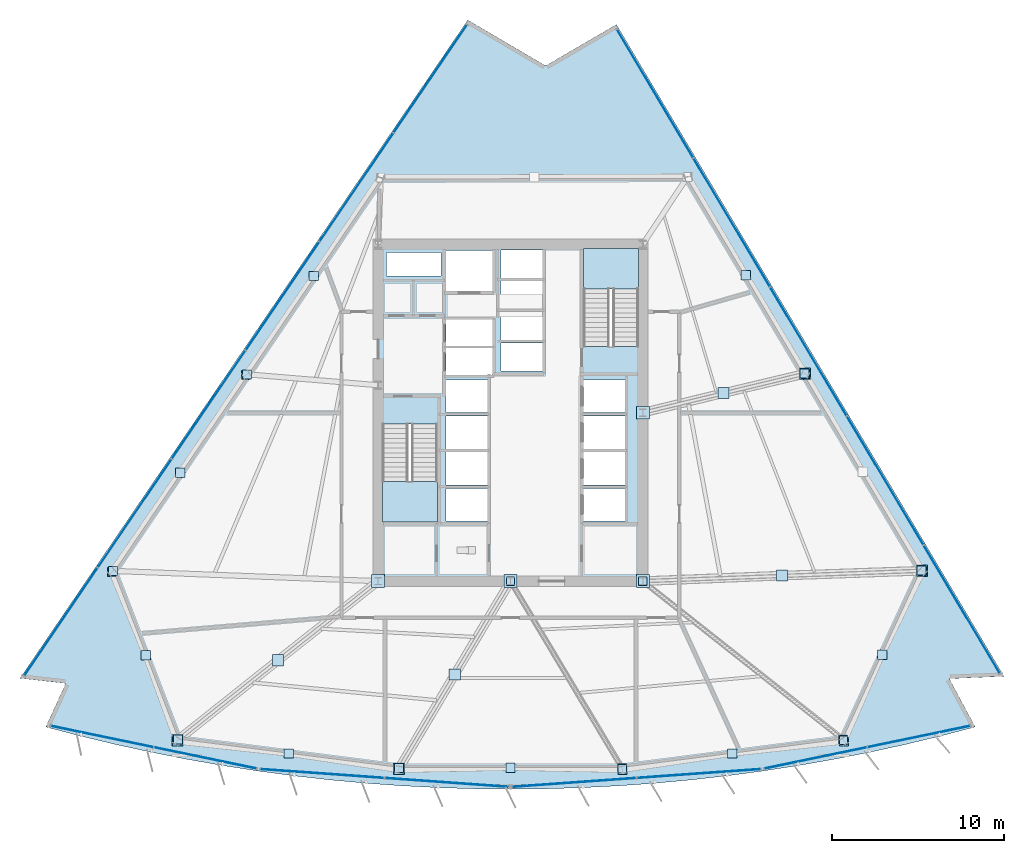
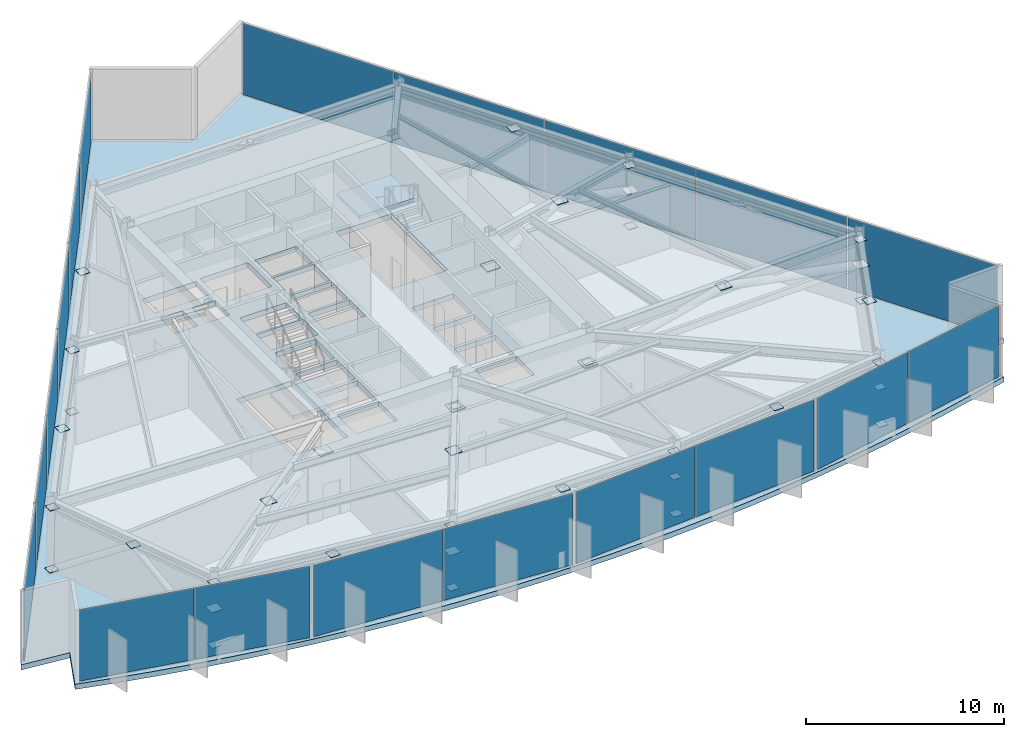
# One storey, part 8 of 16: 59 plates, 3 slabs, 8 elements without a shape of their own.
"""IFC4 building model written with IfcOpenShell, lengths in metres."""

from ifc_helpers import new_model, si_unit, direction, frame, origin, origin_2d, place, context, subcontext, project, spatial, polyline, rectangle, outline, extrude, material, layer, layer_set, type_object, element, aggregate, save


model = new_model("IFC4")

# Units and contexts
model_context = context("Model", 3, precision=1e-05, world=origin(), true_north=direction((0.0, 1.0)))
body_context = subcontext(model_context, "Body", "Model", "MODEL_VIEW")
ifc_project = project(units=[si_unit("LENGTHUNIT", "METRE"), si_unit("AREAUNIT", "SQUARE_METRE"), si_unit("VOLUMEUNIT", "CUBIC_METRE"), si_unit("PLANEANGLEUNIT", "RADIAN"), si_unit("MASSUNIT", "GRAM", prefix="KILO")], contexts=[model_context])

# Site, building, storey
site_placement = place(None, origin())
site = spatial("IfcSite", under=ifc_project, at=site_placement, CompositionType="ELEMENT")
building_placement = place(site_placement, origin())
building = spatial("IfcBuilding", under=site, at=building_placement, Name="Savorim Split Tower", CompositionType="ELEMENT")
storey_placement = place(building_placement, frame((0.0, 0.0, 73.199951171875)))
storey = spatial("IfcBuildingStorey", under=building, at=storey_placement, Name="L19", CompositionType="ELEMENT", Elevation=73.199951171875)

# Curtain wall, plates
ifc_material_1 = material(Name="Dark Ceramic-Fritted Insulated Glass", Category="glass")
curtain_wall_type = type_object("IfcCurtainWallType", Name="CW-REFUGE-LVR", PredefinedType="NOTDEFINED", material=ifc_material_1)
curtain_wall_1_placement = place(storey_placement, origin())
curtain_wall_1 = element("IfcCurtainWall", 1, at=curtain_wall_1_placement, inside=storey, type_object=curtain_wall_type, Name="L19 Curtain Wall CW-L19-SF1", PredefinedType="NOTDEFINED")
ifc_material_2 = material(Name="Charcoal Anodised Aluminium", Category="aluminium")
ifc_layer_1 = layer(ifc_material_2, 0.035888671875)
ifc_layer_set_1 = layer_set([ifc_layer_1], Name="CWP-LVR-36")
plate_type_1 = type_object("IfcPlateType", Name="CWP-LVR-36", PredefinedType="CURTAIN_PANEL", material=ifc_layer_set_1)
plate_1_placement = place(storey_placement, frame((-23.7607421875, -18.440673828125, 0.05517578125), z_axis=(0.0, 0.0, 1.0), x_axis=(0.979135145772, -0.203210153081, 0.0)))
plate_1 = element("IfcPlate", 2, at=plate_1_placement, type_object=plate_type_1, Name="CW-06 panel 1.1", PredefinedType="CURTAIN_PANEL", context=body_context, shape_type="SweptSolid", body=[
    extrude(rectangle(XDim=6.072021484375, YDim=0.035888671875, at=origin_2d()), origin(), (0.0, 0.0, 1.0), 4.389892578125),
])
plate_2_placement = place(storey_placement, frame((-17.751708984375, -19.687744140625, 0.05517578125), z_axis=(0.0, 0.0, 1.0), x_axis=(0.979135145772, -0.203210153081, 0.0)))
plate_2 = element("IfcPlate", 3, at=plate_2_placement, type_object=plate_type_1, Name="CW-06 panel 2.1", PredefinedType="CURTAIN_PANEL", context=body_context, shape_type="SweptSolid", body=[
    extrude(rectangle(XDim=6.072021484375, YDim=0.035888671875, at=origin_2d()), origin(), (0.0, 0.0, 1.0), 4.389892578125),
])
aggregate(curtain_wall_1, [plate_1, plate_2])

curtain_wall_2_placement = place(storey_placement, origin())
curtain_wall_2 = element("IfcCurtainWall", 4, at=curtain_wall_2_placement, inside=storey, type_object=curtain_wall_type, Name="L19 Curtain Wall CW-L19-SF2", PredefinedType="NOTDEFINED")
plate_3_placement = place(storey_placement, frame((-10.9560546875, -20.594482421875, 0.05517578125), z_axis=(0.0, 0.0, 1.0), x_axis=(0.997436258114, -0.071560540796, 0.0)))
plate_3 = element("IfcPlate", 5, at=plate_3_placement, type_object=plate_type_1, Name="CW-06 panel 1.1", PredefinedType="CURTAIN_PANEL", context=body_context, shape_type="SweptSolid", body=[
    extrude(rectangle(XDim=7.201904296875, YDim=0.035888671875, at=origin_2d()), origin(), (0.0, 0.0, 1.0), 4.389892578125),
])
plate_4_placement = place(storey_placement, frame((-3.707763671875, -21.114501953125, 0.05517578125), z_axis=(0.0, 0.0, 1.0), x_axis=(0.997436258114, -0.071560540796, 0.0)))
plate_4 = element("IfcPlate", 6, at=plate_4_placement, type_object=plate_type_1, Name="CW-06 panel 2.1", PredefinedType="CURTAIN_PANEL", context=body_context, shape_type="SweptSolid", body=[
    extrude(rectangle(XDim=7.201904296875, YDim=0.035888671875, at=origin_2d()), origin(), (0.0, 0.0, 1.0), 4.389892578125),
])
aggregate(curtain_wall_2, [plate_3, plate_4])

curtain_wall_3_placement = place(storey_placement, origin())
curtain_wall_3 = element("IfcCurtainWall", 7, at=curtain_wall_3_placement, inside=storey, type_object=curtain_wall_type, Name="L19 Curtain Wall CW-L19-SF3", PredefinedType="NOTDEFINED")
plate_5_placement = place(storey_placement, frame((3.707763671875, -21.114501953125, 0.05517578125), z_axis=(0.0, 0.0, 1.0), x_axis=(0.997436258114, 0.071560540796, 0.0)))
plate_5 = element("IfcPlate", 8, at=plate_5_placement, type_object=plate_type_1, Name="CW-06 panel 1.1", PredefinedType="CURTAIN_PANEL", context=body_context, shape_type="SweptSolid", body=[
    extrude(rectangle(XDim=7.201904296875, YDim=0.035888671875, at=origin_2d()), origin(), (0.0, 0.0, 1.0), 4.389892578125),
])
plate_6_placement = place(storey_placement, frame((10.9560546875, -20.594482421875, 0.05517578125), z_axis=(0.0, 0.0, 1.0), x_axis=(0.997436258114, 0.071560540796, 0.0)))
plate_6 = element("IfcPlate", 9, at=plate_6_placement, type_object=plate_type_1, Name="CW-06 panel 2.1", PredefinedType="CURTAIN_PANEL", context=body_context, shape_type="SweptSolid", body=[
    extrude(rectangle(XDim=7.201904296875, YDim=0.035888671875, at=origin_2d()), origin(), (0.0, 0.0, 1.0), 4.389892578125),
])
aggregate(curtain_wall_3, [plate_5, plate_6])

curtain_wall_4_placement = place(storey_placement, origin())
curtain_wall_4 = element("IfcCurtainWall", 10, at=curtain_wall_4_placement, inside=storey, type_object=curtain_wall_type, Name="L19 Curtain Wall CW-L19-SF4", PredefinedType="NOTDEFINED")
plate_7_placement = place(storey_placement, frame((17.751708984375, -19.687744140625, 0.05517578125), z_axis=(0.0, 0.0, 1.0), x_axis=(0.979135145772, 0.203210153081, 0.0)))
plate_7 = element("IfcPlate", 11, at=plate_7_placement, type_object=plate_type_1, Name="CW-06 panel 1.1", PredefinedType="CURTAIN_PANEL", context=body_context, shape_type="SweptSolid", body=[
    extrude(rectangle(XDim=6.072021484375, YDim=0.035888671875, at=origin_2d()), origin(), (0.0, 0.0, 1.0), 4.389892578125),
])
plate_8_placement = place(storey_placement, frame((23.7607421875, -18.440673828125, 0.05517578125), z_axis=(0.0, 0.0, 1.0), x_axis=(0.979135145772, 0.203210153081, 0.0)))
plate_8 = element("IfcPlate", 12, at=plate_8_placement, type_object=plate_type_1, Name="CW-06 panel 2.1", PredefinedType="CURTAIN_PANEL", context=body_context, shape_type="SweptSolid", body=[
    extrude(rectangle(XDim=6.072021484375, YDim=0.035888671875, at=origin_2d()), origin(), (0.0, 0.0, 1.0), 4.389892578125),
])
aggregate(curtain_wall_4, [plate_7, plate_8])

curtain_wall_5_placement = place(storey_placement, origin())
curtain_wall_5 = element("IfcCurtainWall", 13, at=curtain_wall_5_placement, inside=storey, type_object=curtain_wall_type, Name="L19 Curtain Wall CW-L19-EAST", PredefinedType="NOTDEFINED")
plate_9_placement = place(storey_placement, frame((26.256103515625, -11.041259765625, 0.05517578125), z_axis=(0.0, 0.0, 1.0), x_axis=(-0.511093312545, 0.85952523283, 0.0)))
plate_9 = element("IfcPlate", 14, at=plate_9_placement, type_object=plate_type_1, Name="CW-06 panel 1.1", PredefinedType="CURTAIN_PANEL", context=body_context, shape_type="SweptSolid", body=[
    extrude(rectangle(XDim=8.638427734375, YDim=0.035888671875, at=origin_2d()), origin(), (0.0, 0.0, 1.0), 4.389892578125),
])
plate_10_placement = place(storey_placement, frame((21.799560546875, -3.54638671875, 0.05517578125), z_axis=(0.0, 0.0, 1.0), x_axis=(-0.511093312545, 0.85952523283, 0.0)))
plate_10 = element("IfcPlate", 15, at=plate_10_placement, type_object=plate_type_1, Name="CW-06 panel 2.1", PredefinedType="CURTAIN_PANEL", context=body_context, shape_type="SweptSolid", body=[
    extrude(rectangle(XDim=8.6708984375, YDim=0.035888671875, at=origin_2d()), origin(), (0.0, 0.0, 1.0), 4.389892578125),
])
plate_11_placement = place(storey_placement, frame((17.334716796875, 3.96240234375, 0.05517578125), z_axis=(0.0, 0.0, 1.0), x_axis=(-0.511093312545, 0.85952523283, 0.0)))
plate_11 = element("IfcPlate", 16, at=plate_11_placement, type_object=plate_type_1, Name="CW-06 panel 3.1", PredefinedType="CURTAIN_PANEL", context=body_context, shape_type="SweptSolid", body=[
    extrude(rectangle(XDim=8.6708984375, YDim=0.035888671875, at=origin_2d()), origin(), (0.0, 0.0, 1.0), 4.389892578125),
])
plate_12_placement = place(storey_placement, frame((12.86962890625, 11.470947265625, 0.05517578125), z_axis=(0.0, 0.0, 1.0), x_axis=(-0.511093312545, 0.85952523283, 0.0)))
plate_12 = element("IfcPlate", 17, at=plate_12_placement, type_object=plate_type_1, Name="CW-06 panel 4.1", PredefinedType="CURTAIN_PANEL", context=body_context, shape_type="SweptSolid", body=[
    extrude(rectangle(XDim=8.6708984375, YDim=0.035888671875, at=origin_2d()), origin(), (0.0, 0.0, 1.0), 4.389892578125),
])
plate_13_placement = place(storey_placement, frame((8.4130859375, 18.9658203125, 0.05517578125), z_axis=(0.0, 0.0, 1.0), x_axis=(-0.511093312545, 0.85952523283, 0.0)))
plate_13 = element("IfcPlate", 18, at=plate_13_placement, type_object=plate_type_1, Name="CW-06 panel 5.1", PredefinedType="CURTAIN_PANEL", context=body_context, shape_type="SweptSolid", body=[
    extrude(rectangle(XDim=8.638427734375, YDim=0.035888671875, at=origin_2d()), origin(), (0.0, 0.0, 1.0), 4.389892578125),
])
aggregate(curtain_wall_5, [plate_9, plate_10, plate_11, plate_12, plate_13])

curtain_wall_6_placement = place(storey_placement, origin())
curtain_wall_6 = element("IfcCurtainWall", 19, at=curtain_wall_6_placement, inside=storey, type_object=curtain_wall_type, Name="L19 Curtain Wall CW-L19-WEST", PredefinedType="NOTDEFINED")
plate_14_placement = place(storey_placement, frame((-4.66748046875, 19.82421875, 0.05517578125), z_axis=(0.0, 0.0, 1.0), x_axis=(-0.562466747381, -0.826819906685, 0.0)))
plate_14 = element("IfcPlate", 20, at=plate_14_placement, type_object=plate_type_1, Name="CW-06 panel 1.1", PredefinedType="CURTAIN_PANEL", context=body_context, shape_type="SweptSolid", body=[
    extrude(rectangle(XDim=7.549072265625, YDim=0.035888671875, at=origin_2d()), origin(), (0.0, 0.0, 1.0), 4.389892578125),
])
plate_15_placement = place(storey_placement, frame((-8.959228515625, 13.51513671875, 0.05517578125), z_axis=(0.0, 0.0, 1.0), x_axis=(-0.562466747381, -0.826819906685, 0.0)))
plate_15 = element("IfcPlate", 21, at=plate_15_placement, type_object=plate_type_1, Name="CW-06 panel 2.1", PredefinedType="CURTAIN_PANEL", context=body_context, shape_type="SweptSolid", body=[
    extrude(rectangle(XDim=7.58154296875, YDim=0.035888671875, at=origin_2d()), origin(), (0.0, 0.0, 1.0), 4.389892578125),
])
plate_16_placement = place(storey_placement, frame((-13.260009765625, 7.19287109375, 0.05517578125), z_axis=(0.0, 0.0, 1.0), x_axis=(-0.562466747381, -0.826819906685, 0.0)))
plate_16 = element("IfcPlate", 22, at=plate_16_placement, type_object=plate_type_1, Name="CW-06 panel 3.1", PredefinedType="CURTAIN_PANEL", context=body_context, shape_type="SweptSolid", body=[
    extrude(rectangle(XDim=7.58154296875, YDim=0.035888671875, at=origin_2d()), origin(), (0.0, 0.0, 1.0), 4.389892578125),
])
plate_17_placement = place(storey_placement, frame((-17.56103515625, 0.87060546875, 0.05517578125), z_axis=(0.0, 0.0, 1.0), x_axis=(-0.562466747381, -0.826819906685, 0.0)))
plate_17 = element("IfcPlate", 23, at=plate_17_placement, type_object=plate_type_1, Name="CW-06 panel 4.1", PredefinedType="CURTAIN_PANEL", context=body_context, shape_type="SweptSolid", body=[
    extrude(rectangle(XDim=7.58154296875, YDim=0.035888671875, at=origin_2d()), origin(), (0.0, 0.0, 1.0), 4.389892578125),
])
plate_18_placement = place(storey_placement, frame((-21.86181640625, -5.45166015625, 0.05517578125), z_axis=(0.0, 0.0, 1.0), x_axis=(-0.562466747381, -0.826819906685, 0.0)))
plate_18 = element("IfcPlate", 24, at=plate_18_placement, type_object=plate_type_1, Name="CW-06 panel 5.1", PredefinedType="CURTAIN_PANEL", context=body_context, shape_type="SweptSolid", body=[
    extrude(rectangle(XDim=7.58154296875, YDim=0.035888671875, at=origin_2d()), origin(), (0.0, 0.0, 1.0), 4.389892578125),
])
plate_19_placement = place(storey_placement, frame((-26.15380859375, -11.760498046875, 0.05517578125), z_axis=(0.0, 0.0, 1.0), x_axis=(-0.562466747381, -0.826819906685, 0.0)))
plate_19 = element("IfcPlate", 25, at=plate_19_placement, type_object=plate_type_1, Name="CW-06 panel 6.1", PredefinedType="CURTAIN_PANEL", context=body_context, shape_type="SweptSolid", body=[
    extrude(rectangle(XDim=7.549072265625, YDim=0.035888671875, at=origin_2d()), origin(), (0.0, 0.0, 1.0), 4.389892578125),
])
aggregate(curtain_wall_6, [plate_14, plate_15, plate_16, plate_17, plate_18, plate_19])

# Plates
ifc_material_3 = material(Name="Steel S460", Category="steel")
ifc_layer_2 = layer(ifc_material_3, 0.028076171875)
ifc_layer_set_2 = layer_set([ifc_layer_2], Name="PLT-NODE-BN1")
plate_type_2 = type_object("IfcPlateType", Name="PLT-NODE-BN1", PredefinedType="SHEET", material=ifc_layer_set_2)
plate_20_placement = place(storey_placement, frame((-12.9130859375, -19.426025390625, 4.01611328125), z_axis=(0.0, 0.0, 1.0), x_axis=(1.0, 0.0, 0.0)))
element("IfcPlate", 26, at=plate_20_placement, inside=storey, type_object=plate_type_2, Name="L19 Belt Truss Apex Gusset Plate BN1-01", PredefinedType="SHEET", context=body_context, shape_type="SweptSolid", body=[
    extrude(rectangle(XDim=0.550048828125, YDim=0.550048828125, at=origin_2d()), origin(), (0.0, 0.0, 1.0), 0.028076171875),
])
for number, where, z_axis, x_axis, name in (
    (27, (-19.415283203125, -18.717041015625, 0.26611328125), (0.0, 0.0, 1.0), (1.0, 0.0, 0.0), "L19 Belt Truss Base Gusset Plate BNB-01"),
    (28, (-19.355712890625, -18.620361328125, 4.01611328125), (0.0, 0.0, 1.0), (1.0, 0.0, 0.0), "L19 Belt Truss Chord Gusset Plate BCH-01"),
):
    element("IfcPlate", number, at=place(storey_placement, frame(where, z_axis=z_axis, x_axis=x_axis)), inside=storey, type_object=plate_type_2, Name=name, PredefinedType="SHEET", context=body_context, shape_type="SweptSolid", body=[
        extrude(rectangle(XDim=0.52001953125, YDim=0.52001953125, at=origin_2d()), origin(), (0.0, 0.0, 1.0), 0.028076171875),
    ])
plate_21_placement = place(storey_placement, frame((0.0, -20.251708984375, 4.01611328125), z_axis=(0.0, 0.0, 1.0), x_axis=(1.0, 0.0, 0.0)))
element("IfcPlate", 29, at=plate_21_placement, inside=storey, type_object=plate_type_2, Name="L19 Belt Truss Apex Gusset Plate BN1-02", PredefinedType="SHEET", context=body_context, shape_type="SweptSolid", body=[
    extrude(rectangle(XDim=0.550048828125, YDim=0.550048828125, at=origin_2d()), origin(), (0.0, 0.0, 1.0), 0.028076171875),
])
for number, where, z_axis, x_axis, name in (
    (30, (-6.507080078125, -20.374267578125, 0.26611328125), (0.0, 0.0, 1.0), (1.0, 0.0, 0.0), "L19 Belt Truss Base Gusset Plate BNB-02"),
    (31, (-6.487060546875, -20.272705078125, 4.01611328125), (0.0, 0.0, 1.0), (1.0, 0.0, 0.0), "L19 Belt Truss Chord Gusset Plate BCH-02"),
):
    element("IfcPlate", number, at=place(storey_placement, frame(where, z_axis=z_axis, x_axis=x_axis)), inside=storey, type_object=plate_type_2, Name=name, PredefinedType="SHEET", context=body_context, shape_type="SweptSolid", body=[
        extrude(rectangle(XDim=0.52001953125, YDim=0.52001953125, at=origin_2d()), origin(), (0.0, 0.0, 1.0), 0.028076171875),
    ])
plate_22_placement = place(storey_placement, frame((12.9130859375, -19.426025390625, 4.01611328125), z_axis=(0.0, 0.0, 1.0), x_axis=(1.0, 0.0, 0.0)))
element("IfcPlate", 32, at=plate_22_placement, inside=storey, type_object=plate_type_2, Name="L19 Belt Truss Apex Gusset Plate BN1-03", PredefinedType="SHEET", context=body_context, shape_type="SweptSolid", body=[
    extrude(rectangle(XDim=0.550048828125, YDim=0.550048828125, at=origin_2d()), origin(), (0.0, 0.0, 1.0), 0.028076171875),
])
for number, where, z_axis, x_axis, name in (
    (33, (6.507080078125, -20.374267578125, 0.26611328125), (0.0, 0.0, 1.0), (1.0, 0.0, 0.0), "L19 Belt Truss Base Gusset Plate BNB-03"),
    (34, (6.487060546875, -20.272705078125, 4.01611328125), (0.0, 0.0, 1.0), (1.0, 0.0, 0.0), "L19 Belt Truss Chord Gusset Plate BCH-03"),
):
    element("IfcPlate", number, at=place(storey_placement, frame(where, z_axis=z_axis, x_axis=x_axis)), inside=storey, type_object=plate_type_2, Name=name, PredefinedType="SHEET", context=body_context, shape_type="SweptSolid", body=[
        extrude(rectangle(XDim=0.52001953125, YDim=0.52001953125, at=origin_2d()), origin(), (0.0, 0.0, 1.0), 0.028076171875),
    ])
plate_23_placement = place(storey_placement, frame((21.619873046875, -13.677490234375, 4.01611328125), z_axis=(0.0, 0.0, 1.0), x_axis=(1.0, 0.0, 0.0)))
element("IfcPlate", 35, at=plate_23_placement, inside=storey, type_object=plate_type_2, Name="L19 Belt Truss Apex Gusset Plate BN1-04", PredefinedType="SHEET", context=body_context, shape_type="SweptSolid", body=[
    extrude(rectangle(XDim=0.550048828125, YDim=0.550048828125, at=origin_2d()), origin(), (0.0, 0.0, 1.0), 0.028076171875),
])
for number, where, z_axis, x_axis, name in (
    (36, (19.415283203125, -18.717041015625, 0.26611328125), (0.0, 0.0, 1.0), (1.0, 0.0, 0.0), "L19 Belt Truss Base Gusset Plate BNB-04"),
    (37, (19.355712890625, -18.620361328125, 4.01611328125), (0.0, 0.0, 1.0), (1.0, 0.0, 0.0), "L19 Belt Truss Chord Gusset Plate BCH-04"),
    (38, (23.987060546875, -8.82958984375, 0.26611328125), (0.0, 0.0, 1.0), (1.0, 0.0, 0.0), "L19 Belt Truss Base Gusset Plate BNB-05"),
    (39, (23.911865234375, -8.767333984375, 4.01611328125), (0.0, 0.0, 1.0), (1.0, 0.0, 0.0), "L19 Belt Truss Chord Gusset Plate BCH-05"),
):
    element("IfcPlate", number, at=place(storey_placement, frame(where, z_axis=z_axis, x_axis=x_axis)), inside=storey, type_object=plate_type_2, Name=name, PredefinedType="SHEET", context=body_context, shape_type="SweptSolid", body=[
        extrude(rectangle(XDim=0.52001953125, YDim=0.52001953125, at=origin_2d()), origin(), (0.0, 0.0, 1.0), 0.028076171875),
    ])
plate_24_placement = place(storey_placement, frame((13.694091796875, 8.403076171875, 4.01611328125), z_axis=(0.0, 0.0, 1.0), x_axis=(1.0, 0.0, 0.0)))
element("IfcPlate", 40, at=plate_24_placement, inside=storey, type_object=plate_type_2, Name="L19 Belt Truss Apex Gusset Plate BN1-06", PredefinedType="SHEET", context=body_context, shape_type="SweptSolid", body=[
    extrude(rectangle(XDim=0.550048828125, YDim=0.550048828125, at=origin_2d()), origin(), (0.0, 0.0, 1.0), 0.028076171875),
])
for number, where, z_axis, x_axis, name in (
    (41, (17.16064453125, 2.650634765625, 0.26611328125), (0.0, 0.0, 1.0), (1.0, 0.0, 0.0), "L19 Belt Truss Base Gusset Plate BNB-06"),
    (42, (17.10595703125, 2.67822265625, 4.01611328125), (0.0, 0.0, 1.0), (1.0, 0.0, 0.0), "L19 Belt Truss Chord Gusset Plate BCH-06"),
):
    element("IfcPlate", number, at=place(storey_placement, frame(where, z_axis=z_axis, x_axis=x_axis)), inside=storey, type_object=plate_type_2, Name=name, PredefinedType="SHEET", context=body_context, shape_type="SweptSolid", body=[
        extrude(rectangle(XDim=0.52001953125, YDim=0.52001953125, at=origin_2d()), origin(), (0.0, 0.0, 1.0), 0.028076171875),
    ])
for number, where, z_axis, x_axis, name in (
    (43, (-11.43896484375, 8.354248046875, 4.01611328125), (0.0, 0.0, 1.0), (1.0, 0.0, 0.0), "L19 Belt Truss Apex Gusset Plate BN1-08"),
    (44, (-19.22021484375, -3.084228515625, 4.01611328125), (0.0, 0.0, 1.0), (1.0, 0.0, 0.0), "L19 Belt Truss Apex Gusset Plate BN1-09"),
):
    element("IfcPlate", number, at=place(storey_placement, frame(where, z_axis=z_axis, x_axis=x_axis)), inside=storey, type_object=plate_type_2, Name=name, PredefinedType="SHEET", context=body_context, shape_type="SweptSolid", body=[
        extrude(rectangle(XDim=0.550048828125, YDim=0.550048828125, at=origin_2d()), origin(), (0.0, 0.0, 1.0), 0.028076171875),
    ])
for number, where, z_axis, x_axis, name in (
    (45, (-15.388671875, 2.601806640625, 0.26611328125), (0.0, 0.0, 1.0), (1.0, 0.0, 0.0), "L19 Belt Truss Base Gusset Plate BNB-09"),
    (46, (-15.339599609375, 2.62939453125, 4.01611328125), (0.0, 0.0, 1.0), (1.0, 0.0, 0.0), "L19 Belt Truss Chord Gusset Plate BCH-09"),
):
    element("IfcPlate", number, at=place(storey_placement, frame(where, z_axis=z_axis, x_axis=x_axis)), inside=storey, type_object=plate_type_2, Name=name, PredefinedType="SHEET", context=body_context, shape_type="SweptSolid", body=[
        extrude(rectangle(XDim=0.52001953125, YDim=0.52001953125, at=origin_2d()), origin(), (0.0, 0.0, 1.0), 0.028076171875),
    ])
plate_25_placement = place(storey_placement, frame((-21.227294921875, -13.701904296875, 4.01611328125), z_axis=(0.0, 0.0, 1.0), x_axis=(1.0, 0.0, 0.0)))
element("IfcPlate", 47, at=plate_25_placement, inside=storey, type_object=plate_type_2, Name="L19 Belt Truss Apex Gusset Plate BN1-10", PredefinedType="SHEET", context=body_context, shape_type="SweptSolid", body=[
    extrude(rectangle(XDim=0.550048828125, YDim=0.550048828125, at=origin_2d()), origin(), (0.0, 0.0, 1.0), 0.028076171875),
])
for number, where, z_axis, x_axis, name in (
    (48, (-23.198486328125, -8.87841796875, 0.26611328125), (0.0, 0.0, 1.0), (1.0, 0.0, 0.0), "L19 Belt Truss Base Gusset Plate BNB-10"),
    (49, (-23.125732421875, -8.816162109375, 4.01611328125), (0.0, 0.0, 1.0), (1.0, 0.0, 0.0), "L19 Belt Truss Chord Gusset Plate BCH-10"),
):
    element("IfcPlate", number, at=place(storey_placement, frame(where, z_axis=z_axis, x_axis=x_axis)), inside=storey, type_object=plate_type_2, Name=name, PredefinedType="SHEET", context=body_context, shape_type="SweptSolid", body=[
        extrude(rectangle(XDim=0.52001953125, YDim=0.52001953125, at=origin_2d()), origin(), (0.0, 0.0, 1.0), 0.028076171875),
    ])
ifc_layer_3 = layer(ifc_material_3, 0.02490234375)
ifc_layer_set_3 = layer_set([ifc_layer_3], Name="PLT-NODE-CN1")
plate_type_3 = type_object("IfcPlateType", Name="PLT-NODE-CN1", PredefinedType="SHEET", material=ifc_layer_set_3)
for number, where, z_axis, x_axis, name in (
    (50, (0.0, -9.39990234375, 2.507568359375), (0.0, 0.0, 1.0), (1.0, 0.0, 0.0), "L19 Tie Strut Core Gusset Plate 1"),
    (51, (6.4951171875, -20.3134765625, 2.507568359375), (0.0, 0.0, 1.0), (1.0, 0.0, 0.0), "L19 Tie Strut Column Gusset Plate 1"),
    (52, (7.699951171875, -9.39990234375, 2.507568359375), (0.0, 0.0, 1.0), (1.0, 0.0, 0.0), "L19 Tie Strut Core Gusset Plate 2"),
    (53, (19.379638671875, -18.6591796875, 2.507568359375), (0.0, 0.0, 1.0), (1.0, 0.0, 0.0), "L19 Tie Strut Column Gusset Plate 2"),
):
    element("IfcPlate", number, at=place(storey_placement, frame(where, z_axis=z_axis, x_axis=x_axis)), inside=storey, type_object=plate_type_3, Name=name, PredefinedType="SHEET", context=body_context, shape_type="SweptSolid", body=[
        extrude(rectangle(XDim=0.47998046875, YDim=0.47998046875, at=origin_2d()), origin(), (0.0, 0.0, 1.0), 0.02490234375),
    ])
ifc_layer_4 = layer(ifc_material_3, 0.035888671875)
ifc_layer_set_4 = layer_set([ifc_layer_4], Name="PLT-NODE-ON1")
plate_type_4 = type_object("IfcPlateType", Name="PLT-NODE-ON1", PredefinedType="SHEET", material=ifc_layer_set_4)
plate_26_placement = place(storey_placement, frame((-7.699951171875, -9.39990234375, 2.4619140625), z_axis=(0.0, 0.0, 1.0), x_axis=(1.0, 0.0, 0.0)))
element("IfcPlate", 54, at=plate_26_placement, inside=storey, type_object=plate_type_4, Name="L19 Outrigger Core Embedment Plate ON1-1", PredefinedType="SHEET", context=body_context, shape_type="SweptSolid", body=[
    extrude(rectangle(XDim=0.75, YDim=0.75, at=origin_2d()), origin(), (0.0, 0.0, 1.0), 0.035888671875),
])
plate_27_placement = place(storey_placement, frame((-13.521728515625, -14.000244140625, 4.18408203125), z_axis=(0.0, 0.0, 1.0), x_axis=(1.0, 0.0, 0.0)))
element("IfcPlate", 55, at=plate_27_placement, inside=storey, type_object=plate_type_4, Name="L19 Outrigger Apex Gusset Plate ONT-1", PredefinedType="SHEET", context=body_context, shape_type="SweptSolid", body=[
    extrude(rectangle(XDim=0.64990234375, YDim=0.64990234375, at=origin_2d()), origin(), (0.0, 0.0, 1.0), 0.031982421875),
])
plate_28_placement = place(storey_placement, frame((0.0, -9.39990234375, 2.4619140625), z_axis=(0.0, 0.0, 1.0), x_axis=(1.0, 0.0, 0.0)))
element("IfcPlate", 56, at=plate_28_placement, inside=storey, type_object=plate_type_4, Name="L19 Outrigger Core Embedment Plate ON1-2", PredefinedType="SHEET", context=body_context, shape_type="SweptSolid", body=[
    extrude(rectangle(XDim=0.75, YDim=0.75, at=origin_2d()), origin(), (0.0, 0.0, 1.0), 0.035888671875),
])
plate_29_placement = place(storey_placement, frame((-3.241455078125, -14.82568359375, 4.18408203125), z_axis=(0.0, 0.0, 1.0), x_axis=(1.0, 0.0, 0.0)))
element("IfcPlate", 57, at=plate_29_placement, inside=storey, type_object=plate_type_4, Name="L19 Outrigger Apex Gusset Plate ONT-2", PredefinedType="SHEET", context=body_context, shape_type="SweptSolid", body=[
    extrude(rectangle(XDim=0.64990234375, YDim=0.64990234375, at=origin_2d()), origin(), (0.0, 0.0, 1.0), 0.031982421875),
])
plate_30_placement = place(storey_placement, frame((7.699951171875, -9.39990234375, 2.4619140625), z_axis=(0.0, 0.0, 1.0), x_axis=(1.0, 0.0, 0.0)))
element("IfcPlate", 58, at=plate_30_placement, inside=storey, type_object=plate_type_4, Name="L19 Outrigger Core Embedment Plate ON1-3", PredefinedType="SHEET", context=body_context, shape_type="SweptSolid", body=[
    extrude(rectangle(XDim=0.75, YDim=0.75, at=origin_2d()), origin(), (0.0, 0.0, 1.0), 0.035888671875),
])
plate_31_placement = place(storey_placement, frame((15.798095703125, -9.077392578125, 4.18408203125), z_axis=(0.0, 0.0, 1.0), x_axis=(1.0, 0.0, 0.0)))
element("IfcPlate", 59, at=plate_31_placement, inside=storey, type_object=plate_type_4, Name="L19 Outrigger Apex Gusset Plate ONT-3", PredefinedType="SHEET", context=body_context, shape_type="SweptSolid", body=[
    extrude(rectangle(XDim=0.64990234375, YDim=0.64990234375, at=origin_2d()), origin(), (0.0, 0.0, 1.0), 0.031982421875),
])
plate_32_placement = place(storey_placement, frame((7.699951171875, 0.39990234375, 2.4619140625), z_axis=(0.0, 0.0, 1.0), x_axis=(1.0, 0.0, 0.0)))
element("IfcPlate", 60, at=plate_32_placement, inside=storey, type_object=plate_type_4, Name="L19 Outrigger Core Embedment Plate ON1-4", PredefinedType="SHEET", context=body_context, shape_type="SweptSolid", body=[
    extrude(rectangle(XDim=0.75, YDim=0.75, at=origin_2d()), origin(), (0.0, 0.0, 1.0), 0.035888671875),
])
plate_33_placement = place(storey_placement, frame((12.3974609375, 1.5419921875, 4.18408203125), z_axis=(0.0, 0.0, 1.0), x_axis=(1.0, 0.0, 0.0)))
element("IfcPlate", 61, at=plate_33_placement, inside=storey, type_object=plate_type_4, Name="L19 Outrigger Apex Gusset Plate ONT-4", PredefinedType="SHEET", context=body_context, shape_type="SweptSolid", body=[
    extrude(rectangle(XDim=0.64990234375, YDim=0.64990234375, at=origin_2d()), origin(), (0.0, 0.0, 1.0), 0.031982421875),
])
ifc_layer_5 = layer(ifc_material_3, 0.031982421875)
ifc_layer_set_5 = layer_set([ifc_layer_5], Name="PLT-NODE-ON2")
plate_type_5 = type_object("IfcPlateType", Name="PLT-NODE-ON2", PredefinedType="SHEET", material=ifc_layer_set_5)
for number, where, z_axis, x_axis, name in (
    (62, (-19.38037109375, -18.660400390625, 2.4638671875), (0.0, 0.0, 1.0), (1.0, 0.0, 0.0), "L19 Outrigger Column Gusset Plate ON2-1"),
    (63, (-6.495361328125, -20.314697265625, 2.4638671875), (0.0, 0.0, 1.0), (1.0, 0.0, 0.0), "L19 Outrigger Column Gusset Plate ON2-2"),
    (64, (23.94287109375, -8.793212890625, 2.4638671875), (0.0, 0.0, 1.0), (1.0, 0.0, 0.0), "L19 Outrigger Column Gusset Plate ON2-3"),
    (65, (17.128662109375, 2.666748046875, 2.4638671875), (0.0, 0.0, 1.0), (1.0, 0.0, 0.0), "L19 Outrigger Column Gusset Plate ON2-4"),
):
    element("IfcPlate", number, at=place(storey_placement, frame(where, z_axis=z_axis, x_axis=x_axis)), inside=storey, type_object=plate_type_5, Name=name, PredefinedType="SHEET", context=body_context, shape_type="SweptSolid", body=[
        extrude(rectangle(XDim=0.64990234375, YDim=0.64990234375, at=origin_2d()), origin(), (0.0, 0.0, 1.0), 0.031982421875),
    ])

# Stair, slab
ifc_material_4 = material(Name="Concrete C50/60", Category="concrete")
stair_type = type_object("IfcStairType", Name="STR-DOG-4800", PredefinedType="HALF_TURN_STAIR", material=ifc_material_4)
stair_1_placement = place(storey_placement, origin())
stair_1 = element("IfcStair", 66, at=stair_1_placement, inside=storey, type_object=stair_type, Name="L19 Core Protected Exit Stair ST-1", PredefinedType="HALF_TURN_STAIR")
ifc_layer_6 = layer(ifc_material_4, 0.199951171875)
ifc_layer_set_6 = layer_set([ifc_layer_6], Name="SLB-LND-200")
slab_type_1 = type_object("IfcSlabType", Name="SLB-LND-200", PredefinedType="LANDING", material=ifc_layer_set_6)
slab_1_placement = place(storey_placement, frame((0.0, 0.0, 2.199951171875)))
slab_1 = element("IfcSlab", 67, at=slab_1_placement, type_object=slab_type_1, Name="ST-1 landing 1", PredefinedType="LANDING", context=body_context, shape_type="SweptSolid", body=[
    extrude(outline(polyline([(-7.449951171875, -3.610107421875), (-7.449951171875, -5.949951171875), (-4.25, -5.949951171875), (-4.25, -3.610107421875), (-7.449951171875, -3.610107421875)])), origin(), (0.0, 0.0, 1.0), 0.2001953125),
])
aggregate(stair_1, [slab_1])

stair_2_placement = place(storey_placement, origin())
stair_2 = element("IfcStair", 68, at=stair_2_placement, inside=storey, type_object=stair_type, Name="L19 Core Protected Exit Stair ST-2", PredefinedType="HALF_TURN_STAIR")
slab_2_placement = place(storey_placement, frame((0.0, 0.0, 2.199951171875)))
slab_2 = element("IfcSlab", 69, at=slab_2_placement, type_object=slab_type_1, Name="ST-2 landing 1", PredefinedType="LANDING", context=body_context, shape_type="SweptSolid", body=[
    extrude(outline(polyline([(7.449951171875, 7.610107421875), (7.449951171875, 9.949951171875), (4.25, 9.949951171875), (4.25, 7.610107421875), (7.449951171875, 7.610107421875)])), origin(), (0.0, 0.0, 1.0), 0.2001953125),
])
aggregate(stair_2, [slab_2])

# Slab
ifc_layer_7 = layer(ifc_material_4, 0.320068359375)
ifc_layer_set_7 = layer_set([ifc_layer_7], Name="SLB-POD-320")
slab_type_2 = type_object("IfcSlabType", Name="SLB-POD-320", PredefinedType="FLOOR", material=ifc_layer_set_7)
slab_3_placement = place(storey_placement, frame((0.0, 0.0, -0.320068359375)))
element("IfcSlab", 70, at=slab_3_placement, inside=storey, type_object=slab_type_2, Name="L19 Structural Floor Slab", PredefinedType="FLOOR", context=body_context, shape_type="SweptSolid", body=[
    extrude(outline(polyline([(-27.036865234375, -17.88330078125), (-25.000732421875, -18.415771484375), (-22.954345703125, -18.90625), (-20.898193359375, -19.35498046875), (-18.83349609375, -19.76171875), (-16.7607421875, -20.125732421875), (-14.68115234375, -20.447509765625), (-12.59521484375, -20.7265625), (-10.504150390625, -20.962890625), (-8.40869140625, -21.156494140625), (-6.3095703125, -21.30712890625), (-4.207763671875, -21.414794921875), (-2.104248046875, -21.479248046875), (0.0, -21.500732421875), (2.104248046875, -21.479248046875), (4.207763671875, -21.414794921875), (6.3095703125, -21.30712890625), (8.40869140625, -21.156494140625), (10.504150390625, -20.962890625), (12.59521484375, -20.7265625), (14.68115234375, -20.447509765625), (16.7607421875, -20.125732421875), (18.83349609375, -19.76171875), (20.898193359375, -19.35498046875), (22.954345703125, -18.90625), (25.000732421875, -18.415771484375), (27.036865234375, -17.88330078125), (25.52880859375, -15.072998046875), (28.71240234375, -14.9375), (6.1630859375, 22.984619140625), (2.046875, 20.585693359375), (-2.4833984375, 23.248046875), (-28.536376953125, -15.049560546875), (-25.87158203125, -15.34716796875), (-27.036865234375, -17.88330078125)]), holes=[polyline([(-7.449951171875, -0.25390625), (-7.449951171875, -5.949951171875), (-4.25, -5.949951171875), (-4.25, -0.25390625), (-7.449951171875, -0.25390625)]), polyline([(7.449951171875, 4.25390625), (7.449951171875, 9.949951171875), (4.25, 9.949951171875), (4.25, 4.25390625), (7.449951171875, 4.25390625)]), polyline([(4.25, -5.89990234375), (6.64990234375, -5.89990234375), (6.64990234375, -4.0), (4.25, -4.0), (4.25, -5.89990234375)]), polyline([(4.25, -3.800048828125), (6.64990234375, -3.800048828125), (6.64990234375, -1.89990234375), (4.25, -1.89990234375), (4.25, -3.800048828125)]), polyline([(4.25, -1.699951171875), (6.64990234375, -1.699951171875), (6.64990234375, 0.199951171875), (4.25, 0.199951171875), (4.25, -1.699951171875)]), polyline([(4.25, 0.39990234375), (6.64990234375, 0.39990234375), (6.64990234375, 2.300048828125), (4.25, 2.300048828125), (4.25, 0.39990234375)]), polyline([(-3.75, -5.89990234375), (-1.35009765625, -5.89990234375), (-1.35009765625, -4.0), (-3.75, -4.0), (-3.75, -5.89990234375)]), polyline([(-3.75, -3.800048828125), (-1.35009765625, -3.800048828125), (-1.35009765625, -1.89990234375), (-3.75, -1.89990234375), (-3.75, -3.800048828125)]), polyline([(-3.75, -1.699951171875), (-1.35009765625, -1.699951171875), (-1.35009765625, 0.199951171875), (-3.75, 0.199951171875), (-3.75, -1.699951171875)]), polyline([(-3.75, 0.39990234375), (-1.35009765625, 0.39990234375), (-1.35009765625, 2.300048828125), (-3.75, 2.300048828125), (-3.75, 0.39990234375)]), polyline([(-0.550048828125, 2.830078125), (1.85009765625, 2.830078125), (1.85009765625, 4.469970703125), (-0.550048828125, 4.469970703125), (-0.550048828125, 2.830078125)]), polyline([(-0.550048828125, 4.6298828125), (1.85009765625, 4.6298828125), (1.85009765625, 6.27001953125), (-0.550048828125, 6.27001953125), (-0.550048828125, 4.6298828125)]), polyline([(-0.550048828125, 6.429931640625), (1.85009765625, 6.429931640625), (1.85009765625, 8.070068359375), (-0.550048828125, 8.070068359375), (-0.550048828125, 6.429931640625)]), polyline([(-0.550048828125, 8.22998046875), (1.85009765625, 8.22998046875), (1.85009765625, 9.8701171875), (-0.550048828125, 9.8701171875), (-0.550048828125, 8.22998046875)]), polyline([(-3.75, 2.60009765625), (-1.050048828125, 2.60009765625), (-1.050048828125, 4.159912109375), (-3.75, 4.159912109375), (-3.75, 2.60009765625)]), polyline([(-3.75, 4.280029296875), (-1.050048828125, 4.280029296875), (-1.050048828125, 5.840087890625), (-3.75, 5.840087890625), (-3.75, 4.280029296875)]), polyline([(-3.75, 7.449951171875), (-0.949951171875, 7.449951171875), (-0.949951171875, 9.85009765625), (-3.75, 9.85009765625), (-3.75, 7.449951171875)]), polyline([(-7.219970703125, 6.320068359375), (-5.919921875, 6.320068359375), (-5.919921875, 7.820068359375), (-7.219970703125, 7.820068359375), (-7.219970703125, 6.320068359375)]), polyline([(-5.3798828125, 6.320068359375), (-4.050048828125, 6.320068359375), (-4.050048828125, 7.820068359375), (-5.3798828125, 7.820068359375), (-5.3798828125, 6.320068359375)]), polyline([(-7.219970703125, 8.360107421875), (-4.050048828125, 8.360107421875), (-4.050048828125, 9.719970703125), (-7.219970703125, 9.719970703125), (-7.219970703125, 8.360107421875)])]), origin(), (0.0, 0.0, 1.0), 0.320068359375),
])

save(model, "model.ifc")
